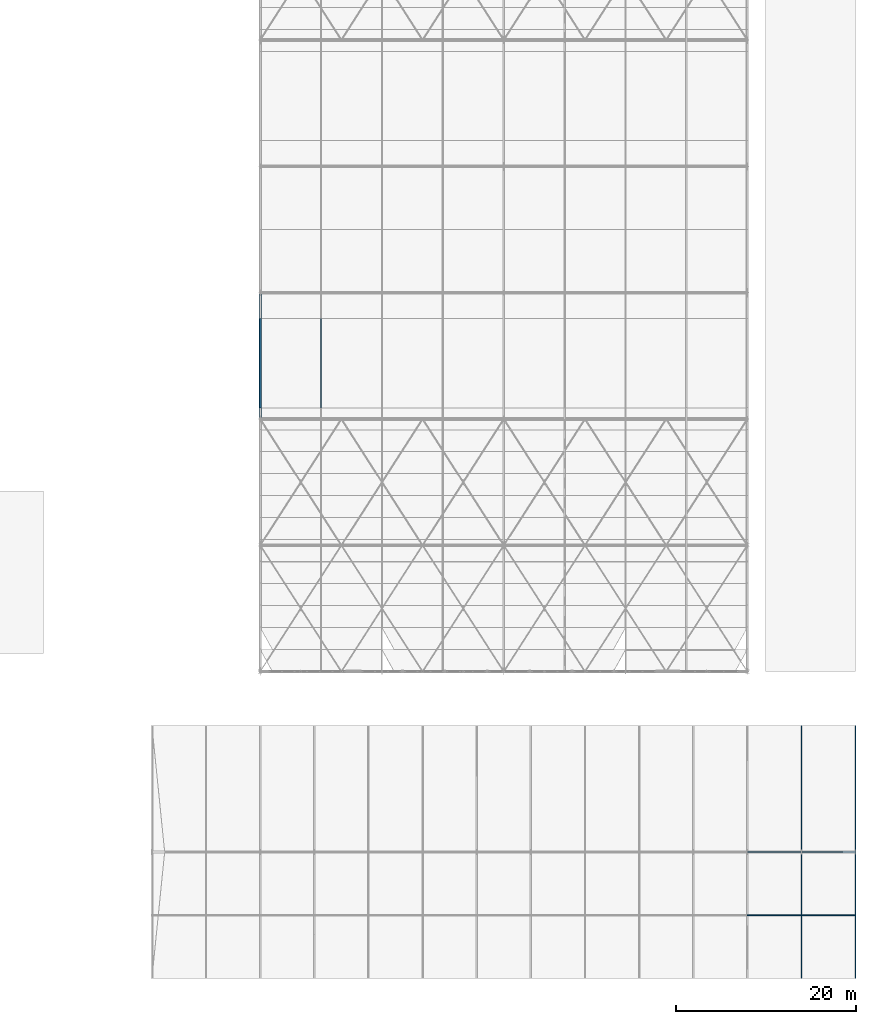
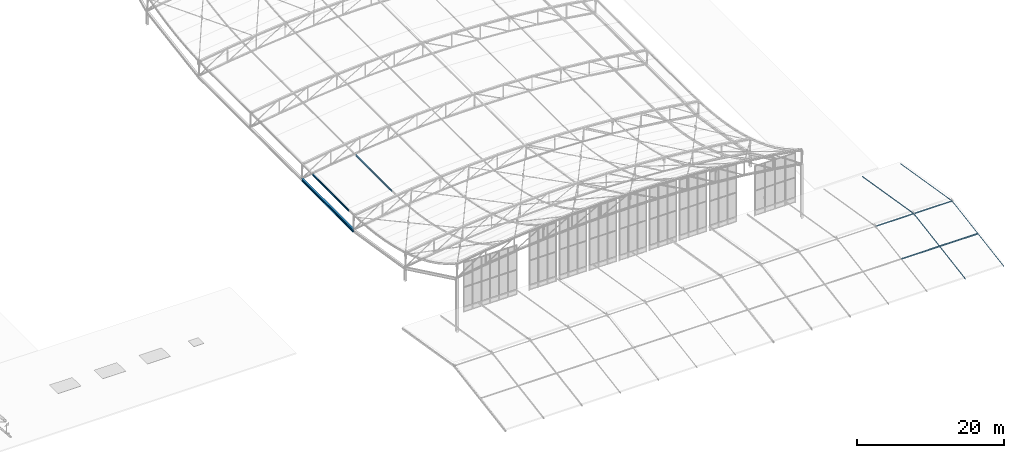
# One storey, part 158 of 262: 10 members, 1 beam.
"""IFC4 building model written with IfcOpenShell, lengths in metres."""

from ifc_helpers import new_model, si_unit, derived_unit, direction, frame, origin, origin_2d, place, context, subcontext, project, spatial, hollow_rectangle, i_section, extrude, material, material_profile, profile_set, type_object, element, save


model = new_model("IFC4")

# Units and contexts
model_context = context("Model", 3, precision=1e-05, world=origin(), true_north=direction((0.0, 1.0)))
body_context = subcontext(model_context, "Body", "Model", "MODEL_VIEW")
ifc_project = project(units=[si_unit("LENGTHUNIT", "METRE"), si_unit("AREAUNIT", "SQUARE_METRE"), si_unit("VOLUMEUNIT", "CUBIC_METRE"), si_unit("PLANEANGLEUNIT", "RADIAN"), si_unit("MASSUNIT", "GRAM", prefix="KILO"), derived_unit("THERMALTRANSMITTANCEUNIT", [(si_unit("POWERUNIT", "WATT"), 1), (si_unit("LENGTHUNIT", "METRE"), -2), (si_unit("THERMODYNAMICTEMPERATUREUNIT", "KELVIN"), -1)])], contexts=[model_context])

# Site, building, storey
site_placement = place(None, origin())
site = spatial("IfcSite", under=ifc_project, at=site_placement, CompositionType="ELEMENT")
building_placement = place(site_placement, origin())
building = spatial("IfcBuilding", under=site, at=building_placement, Name="Almenara Railside Exhibition Hall", CompositionType="ELEMENT")
storey_placement = place(building_placement, frame((0.0, 0.0, 21.699951171875)))
storey = spatial("IfcBuildingStorey", under=building, at=storey_placement, Name="RF", CompositionType="ELEMENT", Elevation=21.699951171875)

# Members
ifc_material = material(Name="Structural steel S355JR", Category="steel")
ifc_material_profile_1 = material_profile(ifc_material, hollow_rectangle(XDim=0.080078125, YDim=0.1201171875, WallThickness=0.0048828125, InnerFilletRadius=0.0048828125, OuterFilletRadius=0.010009765625, at=origin_2d()), Name="RHS 120x80x5")
ifc_profile_set_1 = profile_set([ifc_material_profile_1], Name="Structural steel S355JR")
member_type_1 = type_object("IfcMemberType", Name="Canopy Verge Rafter RHS 120x80x5 S355JR", PredefinedType="RAFTER", material=ifc_profile_set_1)
for number, where, z_axis, x_axis, name in (
    (1, (204.0, 0.0, -1.219970703125), (0.0, 0.986545085566, 0.163489431294), (-1.0, 0.0, 0.0), "MEM-V5R-S-204"),
    (2, (204.0, 28.0, -1.219970703125), (0.0, -0.986545085566, 0.163489431294), (1.0, 0.0, 0.0), "MEM-V5R-N-204"),
):
    element("IfcMember", number, at=place(storey_placement, frame(where, z_axis=z_axis, x_axis=x_axis)), inside=storey, type_object=member_type_1, Name=name, PredefinedType="RAFTER", context=body_context, shape_type="SweptSolid", body=[
        extrude(hollow_rectangle(XDim=0.080078125, YDim=0.1201171875, WallThickness=0.0048828125, InnerFilletRadius=0.0048828125, OuterFilletRadius=0.010009765625, at=origin_2d()), origin(), (0.0, 0.0, 1.0), 14.19091796875),
    ])
ifc_material_profile_2 = material_profile(ifc_material, hollow_rectangle(XDim=0.10009765625, YDim=0.14990234375, WallThickness=0.0048828125, InnerFilletRadius=0.0048828125, OuterFilletRadius=0.010009765625, at=origin_2d()), Name="RHS 150x100x5")
ifc_profile_set_2 = profile_set([ifc_material_profile_2], Name="Structural steel S355JR")
member_type_2 = type_object("IfcMemberType", Name="Concourse Vault Rafter RHS 150x100x5 S355JR", PredefinedType="RAFTER", material=ifc_profile_set_2)
for number, where, z_axis, x_axis, name in (
    (3, (198.0, 0.0, -1.219970703125), (0.0, 0.986545085566, 0.163489431294), (-1.0, 0.0, 0.0), "MEM-V5R-S-198"),
    (4, (198.0, 28.0, -1.219970703125), (0.0, -0.986545085566, 0.163489431294), (1.0, 0.0, 0.0), "MEM-V5R-N-198"),
):
    element("IfcMember", number, at=place(storey_placement, frame(where, z_axis=z_axis, x_axis=x_axis)), inside=storey, type_object=member_type_2, Name=name, PredefinedType="RAFTER", context=body_context, shape_type="SweptSolid", body=[
        extrude(hollow_rectangle(XDim=0.10009765625, YDim=0.14990234375, WallThickness=0.0048828125, InnerFilletRadius=0.0048828125, OuterFilletRadius=0.010009765625, at=origin_2d()), origin(), (0.0, 0.0, 1.0), 14.19091796875),
    ])
ifc_material_profile_3 = material_profile(ifc_material, hollow_rectangle(XDim=0.10009765625, YDim=0.10009765625, WallThickness=0.0048828125, InnerFilletRadius=0.0048828125, OuterFilletRadius=0.010009765625, at=origin_2d()), Name="SHS 100x100x5")
ifc_profile_set_3 = profile_set([ifc_material_profile_3], Name="Structural steel S355JR")
member_type_3 = type_object("IfcMemberType", Name="Cordova Ridge Strut SHS 100x100x5 S355JR", PredefinedType="BRACE", material=ifc_profile_set_3)
member_1_placement = place(storey_placement, frame((192.0, 14.0, 1.10009765625), z_axis=(1.0, 0.0, 0.0), x_axis=(0.0, 1.0, 0.0)))
element("IfcMember", 5, at=member_1_placement, inside=storey, type_object=member_type_3, Name="MEM-V5B-192", PredefinedType="BRACE", context=body_context, shape_type="SweptSolid", body=[
    extrude(hollow_rectangle(XDim=0.10009765625, YDim=0.10009765625, WallThickness=0.0048828125, InnerFilletRadius=0.0048828125, OuterFilletRadius=0.010009765625, at=origin_2d()), origin(), (0.0, 0.0, 1.0), 6.0),
])
ifc_material_profile_4 = material_profile(ifc_material, i_section(OverallWidth=0.08203125, OverallDepth=0.159912109375, WebThickness=0.0048828125, FlangeThickness=0.00732421875, FilletRadius=0.009033203125, at=origin_2d()), Name="IPE 160")
ifc_profile_set_4 = profile_set([ifc_material_profile_4], Name="Structural steel S355JR")
member_type_4 = type_object("IfcMemberType", Name="Cordova Wing Roof Purlin IPE 160 S355JR", PredefinedType="PURLIN", material=ifc_profile_set_4)
for number, where, z_axis, x_axis, name in (
    (6, (192.0, 7.0, -0.06005859375), (1.0, 0.0, 0.0), (0.0, 1.0, 0.0), "MEM-V5P-192"),
    (7, (198.0, 7.0, -0.06005859375), (1.0, 0.0, 0.0), (0.0, 1.0, 0.0), "MEM-V5P-198"),
):
    element("IfcMember", number, at=place(storey_placement, frame(where, z_axis=z_axis, x_axis=x_axis)), inside=storey, type_object=member_type_4, Name=name, PredefinedType="PURLIN", context=body_context, shape_type="SweptSolid", body=[
        extrude(i_section(OverallWidth=0.08203125, OverallDepth=0.159912109375, WebThickness=0.0048828125, FlangeThickness=0.00732421875, FilletRadius=0.009033203125, at=origin_2d()), origin(), (0.0, 0.0, 1.0), 6.0),
    ])
ifc_material_profile_5 = material_profile(ifc_material, i_section(OverallWidth=0.14990234375, OverallDepth=0.300048828125, WebThickness=0.007080078125, FlangeThickness=0.0107421875, FilletRadius=0.014892578125, at=origin_2d()), Name="IPE 300")
ifc_profile_set_5 = profile_set([ifc_material_profile_5], Name="Structural steel S355JR")
member_type_5 = type_object("IfcMemberType", Name="East Hall Ridge Purlin IPE 300 S355JR", PredefinedType="PURLIN", material=ifc_profile_set_5)
member_2_placement = place(storey_placement, frame((138.0, 63.240478515625, -7.269775390625), z_axis=(0.0, 1.0, 0.0), x_axis=(-1.0, 0.0, 0.0)))
element("IfcMember", 8, at=member_2_placement, inside=storey, type_object=member_type_5, Name="MEM-PR-V2-PR-IPE300-00-12", PredefinedType="PURLIN", context=body_context, shape_type="SweptSolid", body=[
    extrude(i_section(OverallWidth=0.14990234375, OverallDepth=0.300048828125, WebThickness=0.007080078125, FlangeThickness=0.0107421875, FilletRadius=0.014892578125, at=origin_2d()), origin(), (0.0, 0.0, 1.0), 9.879638671875),
])
ifc_material_profile_6 = material_profile(ifc_material, i_section(OverallWidth=0.135009765625, OverallDepth=0.27001953125, WebThickness=0.006591796875, FlangeThickness=0.01025390625, FilletRadius=0.014892578125, at=origin_2d()), Name="IPE 270")
ifc_profile_set_6 = profile_set([ifc_material_profile_6], Name="Structural steel S355JR")
member_type_6 = type_object("IfcMemberType", Name="East Hall Standard Purlin IPE 270 S355JR", PredefinedType="PURLIN", material=ifc_profile_set_6)
member_3_placement = place(storey_placement, frame((144.75, 63.240478515625, -6.425537109375), z_axis=(0.0, 1.0, 0.0), x_axis=(-1.0, 0.0, 0.0)))
element("IfcMember", 9, at=member_3_placement, inside=storey, type_object=member_type_6, Name="MEM-PR-V2-PR-IPE270-01-12", PredefinedType="PURLIN", context=body_context, shape_type="SweptSolid", body=[
    extrude(i_section(OverallWidth=0.135009765625, OverallDepth=0.27001953125, WebThickness=0.006591796875, FlangeThickness=0.01025390625, FilletRadius=0.014892578125, at=origin_2d()), origin(), (0.0, 0.0, 1.0), 9.879638671875),
])
ifc_material_profile_7 = material_profile(ifc_material, hollow_rectangle(XDim=0.14990234375, YDim=0.14990234375, WallThickness=0.006103515625, InnerFilletRadius=0.006103515625, OuterFilletRadius=0.011962890625, at=origin_2d()), Name="SHS 150x150x6")
ifc_profile_set_7 = profile_set([ifc_material_profile_7], Name="Structural steel S355JR")
member_type_7 = type_object("IfcMemberType", Name="Gable Sway Brace SHS 150x150x6 S355JR", PredefinedType="BRACE", material=ifc_profile_set_7)
member_4_placement = place(storey_placement, frame((198.0, 14.0, 1.10009765625), z_axis=(1.0, 0.0, 0.0), x_axis=(0.0, 1.0, 0.0)))
element("IfcMember", 10, at=member_4_placement, inside=storey, type_object=member_type_7, Name="MEM-V5B-198", PredefinedType="BRACE", context=body_context, shape_type="SweptSolid", body=[
    extrude(hollow_rectangle(XDim=0.14990234375, YDim=0.14990234375, WallThickness=0.006103515625, InnerFilletRadius=0.006103515625, OuterFilletRadius=0.011962890625, at=origin_2d()), origin(), (0.0, 0.0, 1.0), 6.0),
])

# Beam
ifc_material_profile_8 = material_profile(ifc_material, i_section(OverallWidth=0.300048828125, OverallDepth=0.449951171875, WebThickness=0.013916015625, FlangeThickness=0.02587890625, FilletRadius=0.027099609375, at=origin_2d()), Name="HEB 450")
ifc_profile_set_8 = profile_set([ifc_material_profile_8], Name="Structural steel S355JR")
beam_type = type_object("IfcBeamType", Name="Steel Roof Eaves Tie Girder HEB 450 S355JR", PredefinedType="USERDEFINED", material=ifc_profile_set_8)
beam_placement = place(storey_placement, frame((138.0, 62.0, -9.81005859375), z_axis=(0.0, 0.999999434213, -0.001063754978), x_axis=(-1.0, 0.0, 0.0)))
element("IfcBeam", 11, at=beam_placement, inside=storey, type_object=beam_type, Name="Beam 0979", ObjectType="GIRDER", PredefinedType="USERDEFINED", context=body_context, shape_type="SweptSolid", body=[
    extrude(i_section(OverallWidth=0.300048828125, OverallDepth=0.449951171875, WebThickness=0.013916015625, FlangeThickness=0.02587890625, FilletRadius=0.027099609375, at=origin_2d()), origin(), (0.0, 0.0, 1.0), 14.0),
])

save(model, "model.ifc")
